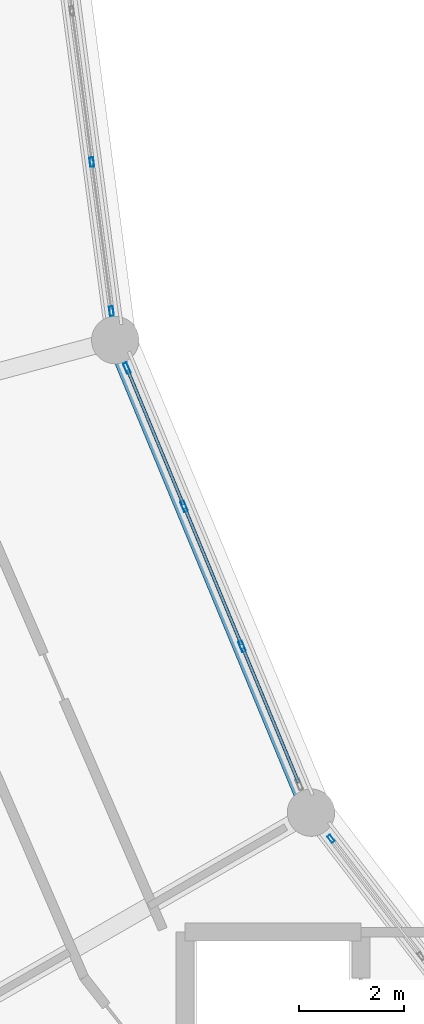
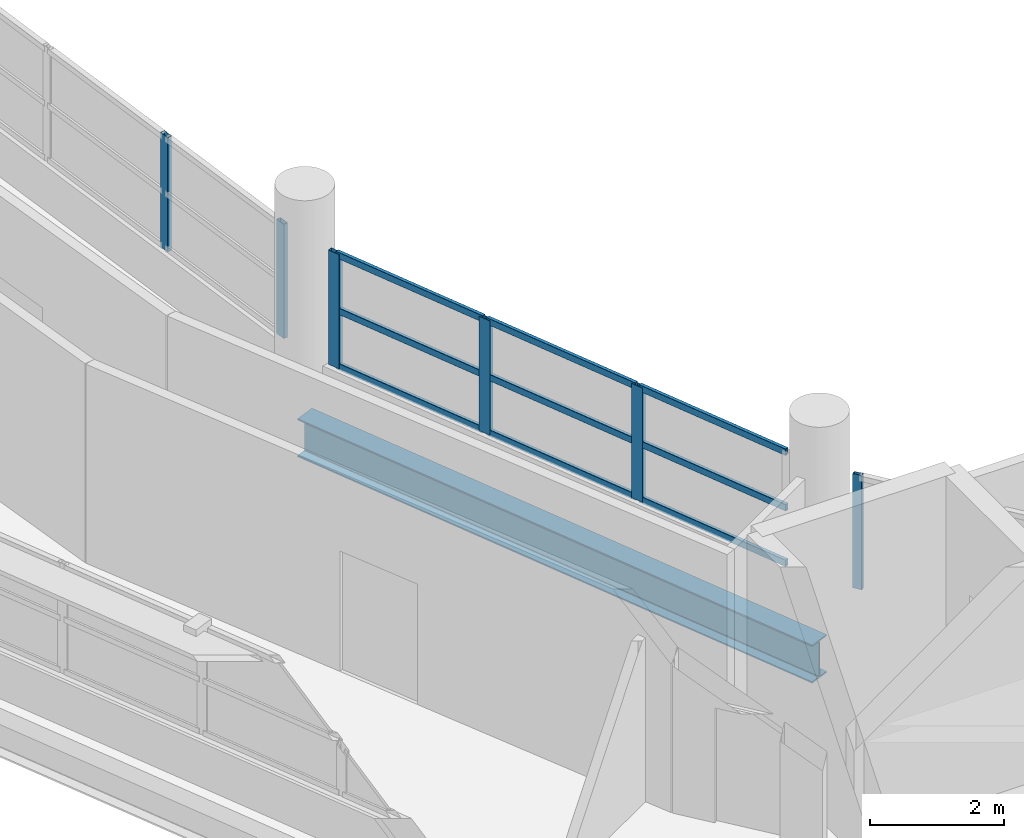
# One storey, part 19 of 88: 15 members, 1 beam, 3 elements without a shape of their own.
"""IFC4 building model written with IfcOpenShell, lengths in metres."""

from ifc_helpers import new_model, si_unit, direction, frame, origin, origin_2d, place, context, subcontext, project, spatial, hollow_rectangle, i_section, extrude, material, layer, layer_set, material_profile, profile_set, type_object, element, aggregate, save


model = new_model("IFC4")

# Units and contexts
model_context = context("Model", 3, precision=1e-05, world=origin(), true_north=direction((0.0, 1.0)))
body_context = subcontext(model_context, "Body", "Model", "MODEL_VIEW")
ifc_project = project(units=[si_unit("LENGTHUNIT", "METRE"), si_unit("AREAUNIT", "SQUARE_METRE"), si_unit("VOLUMEUNIT", "CUBIC_METRE"), si_unit("PLANEANGLEUNIT", "RADIAN"), si_unit("MASSUNIT", "GRAM", prefix="KILO")], contexts=[model_context])

# Site, building, storey
site_placement = place(None, origin())
site = spatial("IfcSite", under=ifc_project, at=site_placement, CompositionType="ELEMENT")
building_placement = place(site_placement, origin())
building = spatial("IfcBuilding", under=site, at=building_placement, Name="Vespera Passage Community Centre", CompositionType="ELEMENT")
storey_placement = place(building_placement, frame((0.0, 0.0, 16.5)))
storey = spatial("IfcBuildingStorey", under=building, at=storey_placement, Name="L04", CompositionType="ELEMENT", Elevation=16.5)

# Beam
ifc_material_1 = material(Name="Steel ASTM A992 Grade 50", Category="steel")
ifc_material_profile_1 = material_profile(ifc_material_1, i_section(OverallWidth=0.3544921875, OverallDepth=0.695556640625, WebThickness=0.015380859375, FlangeThickness=0.024658203125, FilletRadius=0.01513671875, at=origin_2d()), Name="W27X146")
ifc_profile_set_1 = profile_set([ifc_material_profile_1], Name="Steel ASTM A992 Grade 50")
beam_type = type_object("IfcBeamType", Name="BM-SP-W27X146E", PredefinedType="SPANDREL", material=ifc_profile_set_1)
beam_placement = place(storey_placement, frame((42.067626953125, 55.871826171875, -0.647705078125), z_axis=(0.382684844258, -0.923878947685, 0.0), x_axis=(0.923878947685, 0.382684844258, 0.0)))
element("IfcBeam", 1, at=beam_placement, inside=storey, type_object=beam_type, Name="V4 L04 Inner Spandrel 13", PredefinedType="SPANDREL", context=body_context, shape_type="SweptSolid", body=[
    extrude(i_section(OverallWidth=0.3544921875, OverallDepth=0.695556640625, WebThickness=0.015380859375, FlangeThickness=0.024658203125, FilletRadius=0.01513671875, at=origin_2d()), origin(), (0.0, 0.0, 1.0), 9.711181640625),
])

# Curtain wall, member
ifc_material_2 = material(Name="Anodized aluminium 6063-T6", Category="aluminium")
ifc_layer_1 = layer(ifc_material_2, 0.159912109375)
ifc_layer_set_1 = layer_set([ifc_layer_1], Name="Anodized aluminium 6063-T6")
curtain_wall_type_1 = type_object("IfcCurtainWallType", Name="CW-61E", PredefinedType="NOTDEFINED", material=ifc_layer_set_1)
curtain_wall_1_placement = place(storey_placement, origin())
curtain_wall_1 = element("IfcCurtainWall", 2, at=curtain_wall_1_placement, inside=storey, type_object=curtain_wall_type_1, Name="V4 L04 Inner Court Curtain Wall 14", PredefinedType="NOTDEFINED")
ifc_material_3 = material(Name="Anodized aluminium 6063-T6", Category="aluminium")
ifc_material_profile_2 = material_profile(ifc_material_3, hollow_rectangle(XDim=0.06494140625, YDim=0.14990234375, WallThickness=0.00390625, InnerFilletRadius=0.001953125, OuterFilletRadius=0.00390625, at=origin_2d()), Name="ALU150X65X4")
ifc_profile_set_2 = profile_set([ifc_material_profile_2], Name="Anodized aluminium 6063-T6")
member_type_1 = type_object("IfcMemberType", Name="MB-CWM-150E", PredefinedType="MULLION", material=ifc_profile_set_2)
member_1_placement = place(storey_placement, frame((46.164794921875, 46.403564453125, 0.820068359375), z_axis=(0.0, 0.0, 1.0), x_axis=(0.793358205999, 0.608755087843, 0.0)))
member_1 = element("IfcMember", 3, at=member_1_placement, type_object=member_type_1, Name="CW-61E mullion 1", PredefinedType="MULLION", context=body_context, shape_type="SweptSolid", body=[
    extrude(hollow_rectangle(XDim=0.06494140625, YDim=0.14990234375, WallThickness=0.00390625, InnerFilletRadius=0.001953125, OuterFilletRadius=0.00390625, at=origin_2d()), origin(), (0.0, 0.0, 1.0), 2.08935546875),
])
aggregate(curtain_wall_1, [member_1])

# Curtain wall, members
ifc_material_4 = material(Name="Anodized aluminium 6063-T6", Category="aluminium")
ifc_layer_2 = layer(ifc_material_4, 0.159912109375)
ifc_layer_set_2 = layer_set([ifc_layer_2], Name="Anodized aluminium 6063-T6")
curtain_wall_type_2 = type_object("IfcCurtainWallType", Name="CW-64E", PredefinedType="NOTDEFINED", material=ifc_layer_set_2)
curtain_wall_2_placement = place(storey_placement, origin())
curtain_wall_2 = element("IfcCurtainWall", 4, at=curtain_wall_2_placement, inside=storey, type_object=curtain_wall_type_2, Name="V4 L04 Inner Court Curtain Wall 12", PredefinedType="NOTDEFINED")
ifc_material_5 = material(Name="Anodized aluminium 6063-T6", Category="aluminium")
ifc_material_profile_3 = material_profile(ifc_material_5, hollow_rectangle(XDim=0.074951171875, YDim=0.179931640625, WallThickness=0.0048828125, InnerFilletRadius=0.00244140625, OuterFilletRadius=0.0048828125, at=origin_2d()), Name="ALU180X75X5")
ifc_profile_set_3 = profile_set([ifc_material_profile_3], Name="Anodized aluminium 6063-T6")
member_type_2 = type_object("IfcMemberType", Name="MB-CWM-180E", PredefinedType="MULLION", material=ifc_profile_set_3)
member_2_placement = place(storey_placement, frame((41.62255859375, 59.25244140625, 0.820068359375), z_axis=(0.0, 0.0, 1.0), x_axis=(0.991445387728, 0.1305221941, 0.0)))
member_2 = element("IfcMember", 5, at=member_2_placement, type_object=member_type_2, Name="CW-64E mullion 3", PredefinedType="MULLION", context=body_context, shape_type="SweptSolid", body=[
    extrude(hollow_rectangle(XDim=0.074951171875, YDim=0.179931640625, WallThickness=0.0048828125, InnerFilletRadius=0.00244140625, OuterFilletRadius=0.0048828125, at=origin_2d()), origin(), (0.0, 0.0, 1.0), 2.08935546875),
])
member_3_placement = place(storey_placement, frame((41.9951171875, 56.42236328125, 0.820068359375), z_axis=(0.0, 0.0, 1.0), x_axis=(0.991445387728, 0.1305221941, 0.0)))
member_3 = element("IfcMember", 6, at=member_3_placement, type_object=member_type_2, Name="CW-64E mullion 4", PredefinedType="MULLION", context=body_context, shape_type="SweptSolid", body=[
    extrude(hollow_rectangle(XDim=0.074951171875, YDim=0.179931640625, WallThickness=0.0048828125, InnerFilletRadius=0.00244140625, OuterFilletRadius=0.0048828125, at=origin_2d()), origin(), (0.0, 0.0, 1.0), 2.08935546875),
])
aggregate(curtain_wall_2, [member_2, member_3])

ifc_material_6 = material(Name="Anodized aluminium 6063-T6", Category="aluminium")
ifc_layer_3 = layer(ifc_material_6, 0.159912109375)
ifc_layer_set_3 = layer_set([ifc_layer_3], Name="Anodized aluminium 6063-T6")
curtain_wall_type_3 = type_object("IfcCurtainWallType", Name="CW-56E", PredefinedType="NOTDEFINED", material=ifc_layer_set_3)
curtain_wall_3_placement = place(storey_placement, origin())
curtain_wall_3 = element("IfcCurtainWall", 7, at=curtain_wall_3_placement, inside=storey, type_object=curtain_wall_type_3, Name="V4 L04 Inner Court Curtain Wall 13", PredefinedType="NOTDEFINED")
ifc_material_7 = material(Name="Anodized aluminium 6063-T6", Category="aluminium")
ifc_material_profile_4 = material_profile(ifc_material_7, hollow_rectangle(XDim=0.074951171875, YDim=0.2099609375, WallThickness=0.0048828125, InnerFilletRadius=0.00244140625, OuterFilletRadius=0.0048828125, at=origin_2d()), Name="ALU210X75X5")
ifc_profile_set_4 = profile_set([ifc_material_profile_4], Name="Anodized aluminium 6063-T6")
member_type_3 = type_object("IfcMemberType", Name="MB-CWM-210E", PredefinedType="MULLION", material=ifc_profile_set_4)
member_4_placement = place(storey_placement, frame((42.288330078125, 55.338623046875, 0.820068359375), z_axis=(0.0, 0.0, 1.0), x_axis=(0.923876620096, 0.382690463482, 0.0)))
member_4 = element("IfcMember", 8, at=member_4_placement, type_object=member_type_3, Name="CW-56E mullion 1", PredefinedType="MULLION", context=body_context, shape_type="SweptSolid", body=[
    extrude(hollow_rectangle(XDim=0.074951171875, YDim=0.2099609375, WallThickness=0.0048828125, InnerFilletRadius=0.00244140625, OuterFilletRadius=0.0048828125, at=origin_2d()), origin(), (0.0, 0.0, 1.0), 2.08935546875),
])
member_5_placement = place(storey_placement, frame((43.375244140625, 52.715087890625, 0.820068359375), z_axis=(0.0, 0.0, 1.0), x_axis=(0.923876620096, 0.382690463482, 0.0)))
member_5 = element("IfcMember", 9, at=member_5_placement, type_object=member_type_3, Name="CW-56E mullion 2", PredefinedType="MULLION", context=body_context, shape_type="SweptSolid", body=[
    extrude(hollow_rectangle(XDim=0.074951171875, YDim=0.2099609375, WallThickness=0.0048828125, InnerFilletRadius=0.00244140625, OuterFilletRadius=0.0048828125, at=origin_2d()), origin(), (0.0, 0.0, 1.0), 2.08935546875),
])
member_6_placement = place(storey_placement, frame((44.476318359375, 50.056884765625, 0.820068359375), z_axis=(0.0, 0.0, 1.0), x_axis=(0.923876620096, 0.382690463482, 0.0)))
member_6 = element("IfcMember", 10, at=member_6_placement, type_object=member_type_3, Name="CW-56E mullion 3", PredefinedType="MULLION", context=body_context, shape_type="SweptSolid", body=[
    extrude(hollow_rectangle(XDim=0.074951171875, YDim=0.2099609375, WallThickness=0.0048828125, InnerFilletRadius=0.00244140625, OuterFilletRadius=0.0048828125, at=origin_2d()), origin(), (0.0, 0.0, 1.0), 2.08935546875),
])
ifc_material_8 = material(Name="Anodized aluminium 6063-T6", Category="aluminium")
ifc_material_profile_5 = material_profile(ifc_material_8, hollow_rectangle(XDim=0.06005859375, YDim=0.1201171875, WallThickness=0.00390625, InnerFilletRadius=0.001953125, OuterFilletRadius=0.00390625, at=origin_2d()), Name="ALU120X60X4")
ifc_profile_set_5 = profile_set([ifc_material_profile_5], Name="Anodized aluminium 6063-T6")
member_type_4 = type_object("IfcMemberType", Name="MB-CWT-120E", PredefinedType="USERDEFINED", material=ifc_profile_set_5)
member_7_placement = place(storey_placement, frame((42.302734375, 55.303955078125, 0.85009765625), z_axis=(0.382720946689, -0.923863992677, 0.0), x_axis=(0.923863992677, 0.382720946689, 0.0)))
member_7 = element("IfcMember", 11, at=member_7_placement, type_object=member_type_4, Name="CW-56E transom 1.1", ObjectType="TRANSOM", PredefinedType="USERDEFINED", context=body_context, shape_type="SweptSolid", body=[
    extrude(hollow_rectangle(XDim=0.06005859375, YDim=0.1201171875, WallThickness=0.00390625, InnerFilletRadius=0.001953125, OuterFilletRadius=0.00390625, at=origin_2d()), origin(), (0.0, 0.0, 1.0), 2.7646484375),
])
member_8_placement = place(storey_placement, frame((42.302734375, 55.303955078125, 1.86474609375), z_axis=(0.382720946689, -0.923863992677, 0.0), x_axis=(0.923863992677, 0.382720946689, 0.0)))
member_8 = element("IfcMember", 12, at=member_8_placement, type_object=member_type_4, Name="CW-56E transom 1.2", ObjectType="TRANSOM", PredefinedType="USERDEFINED", context=body_context, shape_type="SweptSolid", body=[
    extrude(hollow_rectangle(XDim=0.06005859375, YDim=0.1201171875, WallThickness=0.00390625, InnerFilletRadius=0.001953125, OuterFilletRadius=0.00390625, at=origin_2d()), origin(), (0.0, 0.0, 1.0), 2.7646484375),
])
member_9_placement = place(storey_placement, frame((42.302734375, 55.303955078125, 2.87939453125), z_axis=(0.382720946689, -0.923863992677, 0.0), x_axis=(0.923863992677, 0.382720946689, 0.0)))
member_9 = element("IfcMember", 13, at=member_9_placement, type_object=member_type_4, Name="CW-56E transom 1.3", ObjectType="TRANSOM", PredefinedType="USERDEFINED", context=body_context, shape_type="SweptSolid", body=[
    extrude(hollow_rectangle(XDim=0.06005859375, YDim=0.1201171875, WallThickness=0.00390625, InnerFilletRadius=0.001953125, OuterFilletRadius=0.00390625, at=origin_2d()), origin(), (0.0, 0.0, 1.0), 2.7646484375),
])
member_10_placement = place(storey_placement, frame((43.3896484375, 52.680419921875, 0.85009765625), z_axis=(0.382659588994, -0.923889408399, 0.0), x_axis=(0.923889408399, 0.382659588994, 0.0)))
member_10 = element("IfcMember", 14, at=member_10_placement, type_object=member_type_4, Name="CW-56E transom 2.1", ObjectType="TRANSOM", PredefinedType="USERDEFINED", context=body_context, shape_type="SweptSolid", body=[
    extrude(hollow_rectangle(XDim=0.06005859375, YDim=0.1201171875, WallThickness=0.00390625, InnerFilletRadius=0.001953125, OuterFilletRadius=0.00390625, at=origin_2d()), origin(), (0.0, 0.0, 1.0), 2.80224609375),
])
member_11_placement = place(storey_placement, frame((43.3896484375, 52.680419921875, 1.86474609375), z_axis=(0.382659588994, -0.923889408399, 0.0), x_axis=(0.923889408399, 0.382659588994, 0.0)))
member_11 = element("IfcMember", 15, at=member_11_placement, type_object=member_type_4, Name="CW-56E transom 2.2", ObjectType="TRANSOM", PredefinedType="USERDEFINED", context=body_context, shape_type="SweptSolid", body=[
    extrude(hollow_rectangle(XDim=0.06005859375, YDim=0.1201171875, WallThickness=0.00390625, InnerFilletRadius=0.001953125, OuterFilletRadius=0.00390625, at=origin_2d()), origin(), (0.0, 0.0, 1.0), 2.80224609375),
])
member_12_placement = place(storey_placement, frame((43.3896484375, 52.680419921875, 2.87939453125), z_axis=(0.382659588994, -0.923889408399, 0.0), x_axis=(0.923889408399, 0.382659588994, 0.0)))
member_12 = element("IfcMember", 16, at=member_12_placement, type_object=member_type_4, Name="CW-56E transom 2.3", ObjectType="TRANSOM", PredefinedType="USERDEFINED", context=body_context, shape_type="SweptSolid", body=[
    extrude(hollow_rectangle(XDim=0.06005859375, YDim=0.1201171875, WallThickness=0.00390625, InnerFilletRadius=0.001953125, OuterFilletRadius=0.00390625, at=origin_2d()), origin(), (0.0, 0.0, 1.0), 2.80224609375),
])
member_13_placement = place(storey_placement, frame((44.49072265625, 50.022216796875, 0.85009765625), z_axis=(0.382614353701, -0.923908142805, 0.0), x_axis=(0.923908142805, 0.382614353701, 0.0)))
member_13 = element("IfcMember", 17, at=member_13_placement, type_object=member_type_4, Name="CW-56E transom 3.1", ObjectType="TRANSOM", PredefinedType="USERDEFINED", context=body_context, shape_type="SweptSolid", body=[
    extrude(hollow_rectangle(XDim=0.06005859375, YDim=0.1201171875, WallThickness=0.00390625, InnerFilletRadius=0.001953125, OuterFilletRadius=0.00390625, at=origin_2d()), origin(), (0.0, 0.0, 1.0), 2.764892578125),
])
member_14_placement = place(storey_placement, frame((44.49072265625, 50.022216796875, 1.86474609375), z_axis=(0.382614353701, -0.923908142805, 0.0), x_axis=(0.923908142805, 0.382614353701, 0.0)))
member_14 = element("IfcMember", 18, at=member_14_placement, type_object=member_type_4, Name="CW-56E transom 3.2", ObjectType="TRANSOM", PredefinedType="USERDEFINED", context=body_context, shape_type="SweptSolid", body=[
    extrude(hollow_rectangle(XDim=0.06005859375, YDim=0.1201171875, WallThickness=0.00390625, InnerFilletRadius=0.001953125, OuterFilletRadius=0.00390625, at=origin_2d()), origin(), (0.0, 0.0, 1.0), 2.764892578125),
])
member_15_placement = place(storey_placement, frame((44.49072265625, 50.022216796875, 2.87939453125), z_axis=(0.382614353701, -0.923908142805, 0.0), x_axis=(0.923908142805, 0.382614353701, 0.0)))
member_15 = element("IfcMember", 19, at=member_15_placement, type_object=member_type_4, Name="CW-56E transom 3.3", ObjectType="TRANSOM", PredefinedType="USERDEFINED", context=body_context, shape_type="SweptSolid", body=[
    extrude(hollow_rectangle(XDim=0.06005859375, YDim=0.1201171875, WallThickness=0.00390625, InnerFilletRadius=0.001953125, OuterFilletRadius=0.00390625, at=origin_2d()), origin(), (0.0, 0.0, 1.0), 2.764892578125),
])
aggregate(curtain_wall_3, [member_4, member_5, member_6, member_7, member_8, member_9, member_10, member_11, member_12, member_13, member_14, member_15])

save(model, "model.ifc")
